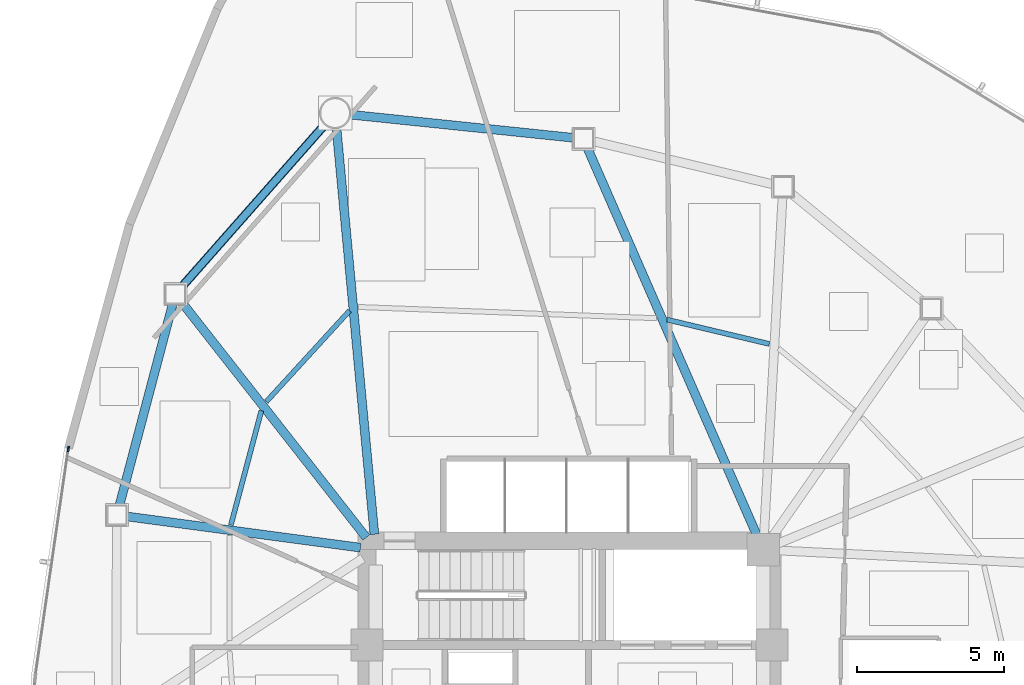
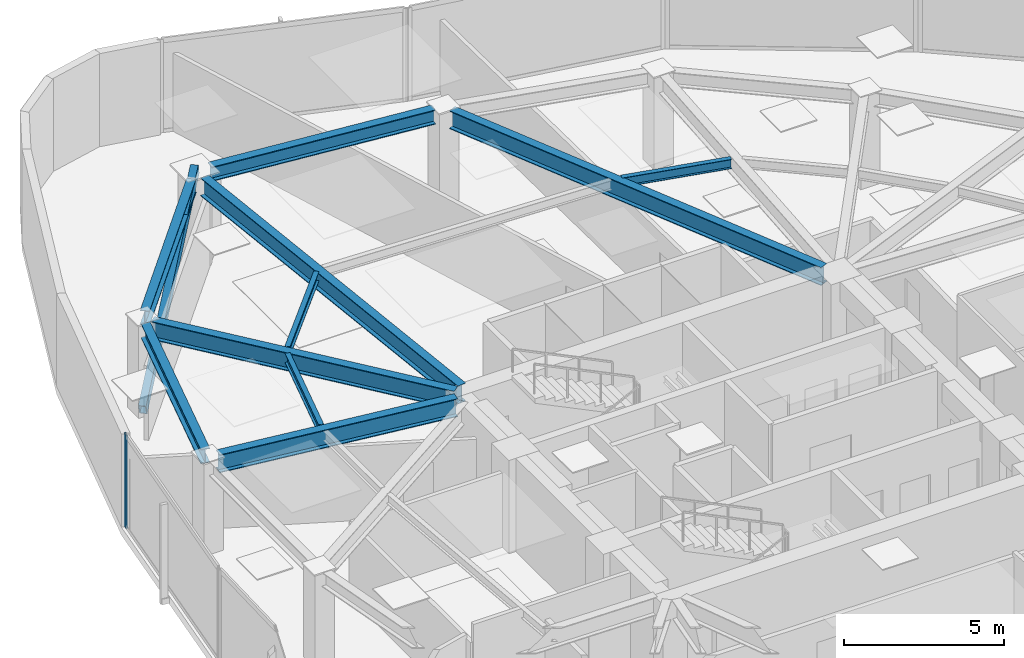
# One storey, part 7 of 16: 10 beams, 2 members, 1 element without a shape of its own.
"""IFC4 building model written with IfcOpenShell, lengths in metres."""

from ifc_helpers import new_model, si_unit, direction, frame, origin, origin_2d, place, context, subcontext, project, spatial, hollow_rectangle, i_section, extrude, source, transform, mapped, material, layer, layer_set, material_profile, profile_set, type_object, type_shapes, element, aggregate, save


model = new_model("IFC4")

# Units and contexts
model_context = context("Model", 3, precision=1e-05, world=origin(), true_north=direction((0.0, 1.0)))
body_context = subcontext(model_context, "Body", "Model", "MODEL_VIEW")
ifc_project = project(units=[si_unit("LENGTHUNIT", "METRE"), si_unit("AREAUNIT", "SQUARE_METRE"), si_unit("VOLUMEUNIT", "CUBIC_METRE"), si_unit("PLANEANGLEUNIT", "RADIAN"), si_unit("MASSUNIT", "GRAM", prefix="KILO")], contexts=[model_context])

# Site, building, storey
site_placement = place(None, origin())
site = spatial("IfcSite", under=ifc_project, at=site_placement, CompositionType="ELEMENT")
building_placement = place(site_placement, origin())
building = spatial("IfcBuilding", under=site, at=building_placement, Name="Tavelor Broadcast Tower", CompositionType="ELEMENT")
storey_placement = place(building_placement, frame((0.0, 0.0, 138.699951171875)))
storey = spatial("IfcBuildingStorey", under=building, at=storey_placement, Name="L32", CompositionType="ELEMENT", Elevation=138.699951171875)

# Beams
ifc_material_1 = material(Name="Steel S355", Category="steel")
ifc_material_profile_1 = material_profile(ifc_material_1, i_section(OverallWidth=0.169921875, OverallDepth=0.360107421875, WebThickness=0.008056640625, FlangeThickness=0.0126953125, at=origin_2d()), Name="IPE 360")
ifc_profile_set_1 = profile_set([ifc_material_profile_1], Name="Steel S355")
beam_type_1 = type_object("IfcBeamType", Name="Composite Floor Joist T3 IPE 360", PredefinedType="JOIST", material=ifc_profile_set_1)
beam_1_placement = place(storey_placement, frame((42.505126953125, 59.344970703125, 3.3701171875), z_axis=(-0.675177020038, -0.737655740581, 0.0), x_axis=(0.737655740581, -0.675177020038, 0.0)))
element("IfcBeam", 1, at=beam_1_placement, inside=storey, type_object=beam_type_1, Name="L32 Secondary Composite Floor Joist 01", PredefinedType="JOIST", context=body_context, shape_type="SweptSolid", body=[
    extrude(i_section(OverallWidth=0.169921875, OverallDepth=0.360107421875, WebThickness=0.008056640625, FlangeThickness=0.0126953125, at=origin_2d()), origin(), (0.0, 0.0, 1.0), 4.20068359375),
])
beam_2_placement = place(storey_placement, frame((39.5, 55.937744140625, 3.3701171875), z_axis=(-0.257647578953, -0.966238958571, 0.0), x_axis=(0.966238958571, -0.257647578953, 0.0)))
element("IfcBeam", 2, at=beam_2_placement, inside=storey, type_object=beam_type_1, Name="L32 Secondary Composite Floor Joist 02", PredefinedType="JOIST", context=body_context, shape_type="SweptSolid", body=[
    extrude(i_section(OverallWidth=0.169921875, OverallDepth=0.360107421875, WebThickness=0.008056640625, FlangeThickness=0.0126953125, at=origin_2d()), origin(), (0.0, 0.0, 1.0), 4.032958984375),
])
beam_3_placement = place(storey_placement, frame((56.80517578125, 58.21240234375, 3.3701171875), z_axis=(-0.972854549724, 0.231417426056, 0.0), x_axis=(-0.231417426056, -0.972854549724, 0.0)))
element("IfcBeam", 3, at=beam_3_placement, inside=storey, type_object=beam_type_1, Name="L32 Secondary Composite Floor Joist 17", PredefinedType="JOIST", context=body_context, shape_type="SweptSolid", body=[
    extrude(i_section(OverallWidth=0.169921875, OverallDepth=0.360107421875, WebThickness=0.008056640625, FlangeThickness=0.0126953125, at=origin_2d()), origin(), (0.0, 0.0, 1.0), 3.575439453125),
])
ifc_material_profile_2 = material_profile(ifc_material_1, i_section(OverallWidth=0.300048828125, OverallDepth=0.550048828125, WebThickness=0.014892578125, FlangeThickness=0.029052734375, at=origin_2d()), Name="HEB 550")
ifc_profile_set_2 = profile_set([ifc_material_profile_2], Name="Steel S355")
beam_type_2 = type_object("IfcBeamType", Name="Perimeter Spandrel Beam T3 HEB 550", PredefinedType="SPANDREL", material=ifc_profile_set_2)
beam_4_placement = place(storey_placement, frame((41.67236328125, 65.69580078125, 3.275146484375), z_axis=(-0.661628202511, -0.749832062292, 0.0), x_axis=(0.749832062292, -0.661628202511, 0.0)))
element("IfcBeam", 4, at=beam_4_placement, inside=storey, type_object=beam_type_2, Name="L32 Framed-Tube Ring Spandrel 01", PredefinedType="SPANDREL", context=body_context, shape_type="SweptSolid", body=[
    extrude(i_section(OverallWidth=0.300048828125, OverallDepth=0.550048828125, WebThickness=0.014892578125, FlangeThickness=0.029052734375, at=origin_2d()), origin(), (0.0, 0.0, 1.0), 7.379150390625),
])
beam_5_placement = place(storey_placement, frame((36.481689453125, 59.5859375, 3.275146484375), z_axis=(-0.255779440044, -0.966735164381, 0.0), x_axis=(0.966735164381, -0.255779440044, 0.0)))
element("IfcBeam", 5, at=beam_5_placement, inside=storey, type_object=beam_type_2, Name="L32 Framed-Tube Ring Spandrel 02", PredefinedType="SPANDREL", context=body_context, shape_type="SweptSolid", body=[
    extrude(i_section(OverallWidth=0.300048828125, OverallDepth=0.550048828125, WebThickness=0.014892578125, FlangeThickness=0.029052734375, at=origin_2d()), origin(), (0.0, 0.0, 1.0), 7.11865234375),
])
beam_6_placement = place(storey_placement, frame((50.13818359375, 65.23681640625, 3.275146484375), z_axis=(-0.994661371522, 0.103192809834, 0.0), x_axis=(-0.103192809834, -0.994661371522, 0.0)))
element("IfcBeam", 6, at=beam_6_placement, inside=storey, type_object=beam_type_2, Name="L32 Framed-Tube Ring Spandrel 18", PredefinedType="SPANDREL", context=body_context, shape_type="SweptSolid", body=[
    extrude(i_section(OverallWidth=0.300048828125, OverallDepth=0.550048828125, WebThickness=0.014892578125, FlangeThickness=0.029052734375, at=origin_2d()), origin(), (0.0, 0.0, 1.0), 7.658203125),
])

# Member
ifc_material_profile_3 = material_profile(ifc_material_1, hollow_rectangle(XDim=0.25, YDim=0.449951171875, WallThickness=0.02001953125, at=origin_2d()), Name="RHS 450x250x20")
ifc_profile_set_3 = profile_set([ifc_material_profile_3], Name="Steel S355")
member_type_1 = type_object("IfcMemberType", Name="Perimeter Tube Brace T3 RHS 450x250x20", PredefinedType="BRACE", material=ifc_profile_set_3)
member_1_placement = place(storey_placement, frame((36.567626953125, 59.91064453125, 0.0), z_axis=(0.607484590691, 0.688484352459, 0.396171387776), x_axis=(-0.74983872131, 0.661620655681, 0.0)))
element("IfcMember", 7, at=member_1_placement, inside=storey, type_object=member_type_1, Name="L32 Corner Tube Diagonal Brace 1", PredefinedType="BRACE", context=body_context, shape_type="SweptSolid", body=[
    extrude(hollow_rectangle(XDim=0.25, YDim=0.449951171875, WallThickness=0.02001953125, at=origin_2d()), origin(), (0.0, 0.0, 1.0), 8.9609375),
])

# Beams
ifc_material_profile_4 = material_profile(ifc_material_1, i_section(OverallWidth=0.300048828125, OverallDepth=0.68994140625, WebThickness=0.014404296875, FlangeThickness=0.027099609375, at=origin_2d()), Name="HEA 700")
ifc_profile_set_4 = profile_set([ifc_material_profile_4], Name="Steel S355")
beam_type_3 = type_object("IfcBeamType", Name="Radial Floor Girder T3 HEA 700", PredefinedType="BEAM", material=ifc_profile_set_4)
beam_7_placement = place(storey_placement, frame((43.350830078125, 51.7255859375, 3.205078125), z_axis=(-0.092918079293, 0.995673757081, 0.0), x_axis=(-0.995673757081, -0.092918079293, 0.0)))
element("IfcBeam", 8, at=beam_7_placement, inside=storey, type_object=beam_type_3, Name="L32 Radial Primary Floor Girder 01", PredefinedType="BEAM", context=body_context, shape_type="SweptSolid", body=[
    extrude(i_section(OverallWidth=0.300048828125, OverallDepth=0.68994140625, WebThickness=0.014404296875, FlangeThickness=0.027099609375, at=origin_2d()), origin(), (0.0, 0.0, 1.0), 13.904541015625),
])
beam_8_placement = place(storey_placement, frame((43.07421875, 51.615478515625, 3.205078125), z_axis=(-0.617166360417, 0.786832690964, 0.0), x_axis=(-0.786832690964, -0.617166360417, 0.0)))
element("IfcBeam", 9, at=beam_8_placement, inside=storey, type_object=beam_type_3, Name="L32 Radial Primary Floor Girder 02", PredefinedType="BEAM", context=body_context, shape_type="SweptSolid", body=[
    extrude(i_section(OverallWidth=0.300048828125, OverallDepth=0.68994140625, WebThickness=0.014404296875, FlangeThickness=0.027099609375, at=origin_2d()), origin(), (0.0, 0.0, 1.0), 10.20654296875),
])
beam_9_placement = place(storey_placement, frame((42.876708984375, 51.27001953125, 3.205078125), z_axis=(-0.991191527329, 0.132436234281, 0.0), x_axis=(-0.132436234281, -0.991191527329, 0.0)))
element("IfcBeam", 10, at=beam_9_placement, inside=storey, type_object=beam_type_3, Name="L32 Radial Primary Floor Girder 03", PredefinedType="BEAM", context=body_context, shape_type="SweptSolid", body=[
    extrude(i_section(OverallWidth=0.300048828125, OverallDepth=0.68994140625, WebThickness=0.014404296875, FlangeThickness=0.027099609375, at=origin_2d()), origin(), (0.0, 0.0, 1.0), 8.039306640625),
])
beam_10_placement = place(storey_placement, frame((56.38818359375, 51.68359375, 3.205078125), z_axis=(-0.400896102053, 0.916123526255, 0.0), x_axis=(-0.916123526255, -0.400896102053, 0.0)))
element("IfcBeam", 11, at=beam_10_placement, inside=storey, type_object=beam_type_3, Name="L32 Radial Primary Floor Girder 18", PredefinedType="BEAM", context=body_context, shape_type="SweptSolid", body=[
    extrude(i_section(OverallWidth=0.300048828125, OverallDepth=0.68994140625, WebThickness=0.014404296875, FlangeThickness=0.027099609375, at=origin_2d()), origin(), (0.0, 0.0, 1.0), 14.420166015625),
])

# Curtain wall, member
ifc_material_2 = material(Name="Architectural Anodized Aluminium", Category="aluminium")
ifc_layer = layer(ifc_material_2, 0.18994140625)
ifc_layer_set = layer_set([ifc_layer], Name="Architectural Anodized Aluminium")
curtain_wall_type = type_object("IfcCurtainWallType", Name="Tower Mid-Zone Acoustic Curtain Wall CW03", PredefinedType="NOTDEFINED", material=ifc_layer_set)
curtain_wall_placement = place(storey_placement, origin())
curtain_wall = element("IfcCurtainWall", 12, at=curtain_wall_placement, inside=storey, type_object=curtain_wall_type, Name="L32 Curtain Wall CW03 Run 325", PredefinedType="NOTDEFINED")
ifc_material_profile_5 = material_profile(ifc_material_2, hollow_rectangle(XDim=0.068115234375, YDim=0.18994140625, WallThickness=0.02197265625, at=origin_2d()), Name="RHS 68x190x22")
ifc_profile_set_5 = profile_set([ifc_material_profile_5], Name="Architectural Anodized Aluminium")
member_type_2 = type_object("IfcMemberType", Name="CW03 Extruded Aluminium Mullion 68x190", PredefinedType="MULLION", material=ifc_profile_set_5)
shared_shape = source(origin(), body_context, "Body", "SweptSolid", [
    extrude(hollow_rectangle(XDim=0.068115234375, YDim=0.18994140625, WallThickness=0.02197265625, at=origin_2d()), origin(), (0.0, 0.0, 1.0), 3.550048828125),
])
type_shapes(member_type_2, [shared_shape])
member_2_placement = place(storey_placement, frame((32.92138671875, 54.634765625, 0.0), z_axis=(0.0, 0.0, 1.0), x_axis=(0.989588798256, -0.143923626852, 0.0)))
member_2 = element("IfcMember", 13, at=member_2_placement, type_object=member_type_2, Name="CW03 mullion 1", PredefinedType="MULLION", context=body_context, shape_type="MappedRepresentation", body=[
    mapped(shared_shape, transform((0.0, 0.0, 0.0), scale=1.0)),
])
aggregate(curtain_wall, [member_2])

save(model, "model.ifc")
